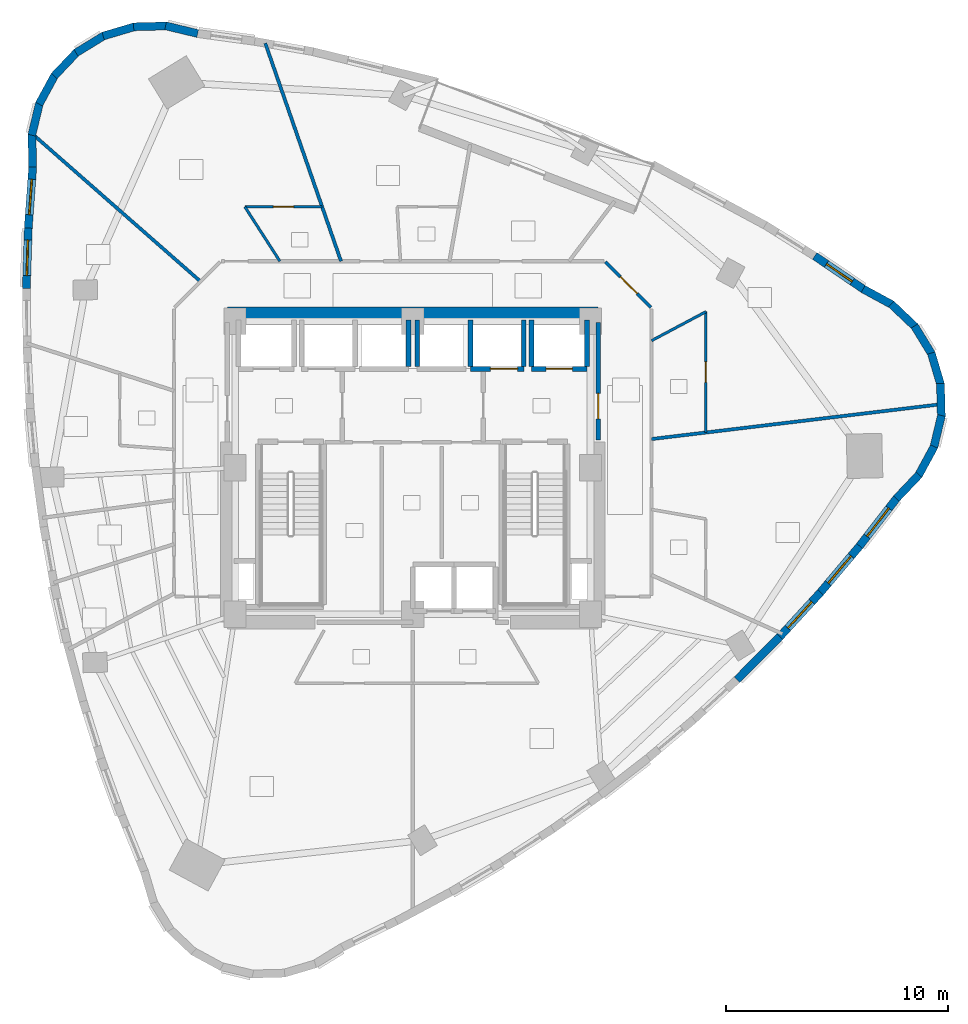
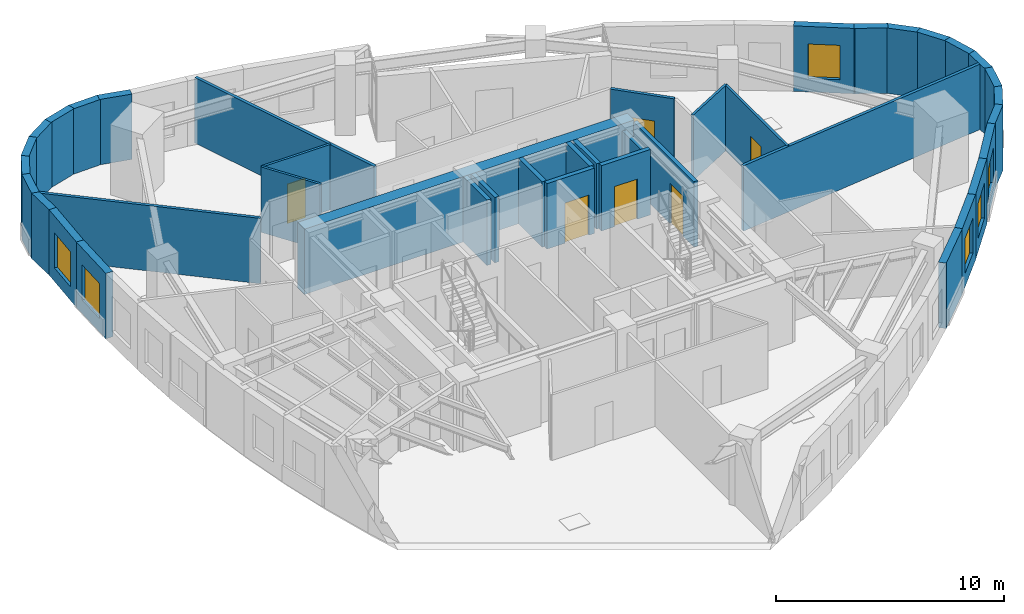
# One storey, part 8 of 12: 41 walls, 6 doors, 6 windows, 12 openings.
"""IFC4 building model written with IfcOpenShell, lengths in metres."""

from ifc_helpers import new_model, si_unit, direction, frame, frame_2d, origin, place, context, subcontext, project, spatial, rectangle, extrude, material, layer, layer_set, type_object, element, fill, save


model = new_model("IFC4")

# Units and contexts
model_context = context("Model", 3, precision=1e-05, world=origin(), true_north=direction((0.0, 1.0)))
body_context = subcontext(model_context, "Body", "Model", "MODEL_VIEW")
ifc_project = project(units=[si_unit("LENGTHUNIT", "METRE"), si_unit("AREAUNIT", "SQUARE_METRE"), si_unit("VOLUMEUNIT", "CUBIC_METRE"), si_unit("PLANEANGLEUNIT", "RADIAN"), si_unit("MASSUNIT", "GRAM", prefix="KILO")], contexts=[model_context])

# Site, building, storey
site_placement = place(None, origin())
site = spatial("IfcSite", under=ifc_project, at=site_placement, CompositionType="ELEMENT")
building_placement = place(site_placement, origin())
building = spatial("IfcBuilding", under=site, at=building_placement, Name="Ndelora Gate Hotel", CompositionType="ELEMENT")
storey_placement = place(building_placement, frame((0.0, 0.0, 153.5)))
storey = spatial("IfcBuildingStorey", under=building, at=storey_placement, Name="L38", CompositionType="ELEMENT", Elevation=153.5)

# Walls
ifc_material_1 = material(Name="Clay Brick Masonry", Category="masonry")
ifc_layer_1 = layer(ifc_material_1, 0.360107421875)
ifc_layer_set_1 = layer_set([ifc_layer_1], Name="Clay Brick Masonry")
wall_type_1 = type_object("IfcWallType", Name="WL-BRICK-360", PredefinedType="SOLIDWALL", material=ifc_layer_set_1)
for number, where, z_axis, x_axis, name in (
    (1, (-11.1298828125, 19.89990234375, 0.0), (0.0, 0.0, 1.0), (0.972361941937, -0.233478594034, 0.0), "L38 Tower Brick Pier-and-Spandrel Wall TWR-1"),
    (2, (-12.56591796875, 19.855712890625, 0.0), (0.0, 0.0, 1.0), (0.999654374037, 0.026289398397, 0.0), "L38 Tower Brick Pier-and-Spandrel Wall TWR-2"),
    (3, (-13.94140625, 19.44140625, 0.0), (0.0, 0.0, 1.0), (0.95879313952, 0.284105113664, 0.0), "L38 Tower Brick Pier-and-Spandrel Wall TWR-3"),
):
    element("IfcWall", number, at=place(storey_placement, frame(where, z_axis=z_axis, x_axis=x_axis)), inside=storey, type_object=wall_type_1, Name=name, PredefinedType="SOLIDWALL", context=body_context, shape_type="SweptSolid", body=[
        extrude(rectangle(XDim=1.48583984375, YDim=0.360107421875, at=frame_2d((0.742919921875, 0.0))), origin(), (0.0, 0.0, 1.0), 3.5),
    ])
wall_1_placement = place(storey_placement, frame((-15.1630859375, 18.685302734375, 0.0), z_axis=(0.0, 0.0, 1.0), x_axis=(0.852672081239, 0.522446477522, 0.0)))
element("IfcWall", 4, at=wall_1_placement, inside=storey, type_object=wall_type_1, Name="L38 Tower Brick Pier-and-Spandrel Wall TWR-4", PredefinedType="SOLIDWALL", context=body_context, shape_type="SweptSolid", body=[
    extrude(rectangle(XDim=1.486083984375, YDim=0.360107421875, at=frame_2d((0.7431640625, 0.0))), origin(), (0.0, 0.0, 1.0), 3.5),
])
wall_2_placement = place(storey_placement, frame((-16.147216796875, 17.638916015625, 0.0), z_axis=(0.0, 0.0, 1.0), x_axis=(0.688377955726, 0.725352183474, 0.0)))
element("IfcWall", 5, at=wall_2_placement, inside=storey, type_object=wall_type_1, Name="L38 Tower Brick Pier-and-Spandrel Wall TWR-5", PredefinedType="SOLIDWALL", context=body_context, shape_type="SweptSolid", body=[
    extrude(rectangle(XDim=1.485595703125, YDim=0.360107421875, at=frame_2d((0.74267578125, 0.0))), origin(), (0.0, 0.0, 1.0), 3.5),
])
for number, where, z_axis, x_axis, name in (
    (6, (-16.826904296875, 16.373046875, 0.0), (0.0, 0.0, 1.0), (0.476997582812, 0.87890460574, 0.0), "L38 Tower Brick Pier-and-Spandrel Wall TWR-6"),
    (7, (-17.156005859375, 14.974609375, 0.0), (0.0, 0.0, 1.0), (0.233323235941, 0.972399232605, 0.0), "L38 Tower Brick Pier-and-Spandrel Wall TWR-7"),
):
    element("IfcWall", number, at=place(storey_placement, frame(where, z_axis=z_axis, x_axis=x_axis)), inside=storey, type_object=wall_type_1, Name=name, PredefinedType="SOLIDWALL", context=body_context, shape_type="SweptSolid", body=[
        extrude(rectangle(XDim=1.48583984375, YDim=0.360107421875, at=frame_2d((0.742919921875, 0.0))), origin(), (0.0, 0.0, 1.0), 3.5),
    ])
wall_3_placement = place(storey_placement, frame((-17.112060546875, 13.538818359375, 0.0), z_axis=(0.0, 0.0, 1.0), x_axis=(-0.026129494011, 0.999658566483, 0.0)))
element("IfcWall", 8, at=wall_3_placement, inside=storey, type_object=wall_type_1, Name="L38 Tower Brick Pier-and-Spandrel Wall TWR-8", PredefinedType="SOLIDWALL", context=body_context, shape_type="SweptSolid", body=[
    extrude(rectangle(XDim=1.485595703125, YDim=0.360107421875, at=frame_2d((0.74267578125, 0.0))), origin(), (0.0, 0.0, 1.0), 3.5),
])

# Wall, opening, window
wall_4_placement = place(storey_placement, frame((-17.314208984375, 10.794921875, 0.0), z_axis=(0.0, 0.0, 1.0), x_axis=(0.072603479606, 0.99736088491, 0.0)))
wall_4 = element("IfcWall", 9, at=wall_4_placement, inside=storey, type_object=wall_type_1, Name="L38 Tower Brick Pier-and-Spandrel Wall TWR-9", PredefinedType="SOLIDWALL", context=body_context, shape_type="SweptSolid", body=[
    extrude(rectangle(XDim=2.801025390625, YDim=0.360107421875, at=frame_2d((1.400390625, 0.0))), origin(), (0.0, 0.0, 1.0), 3.5),
])
opening_1_placement = place(wall_4_placement, frame((0.6005859375, 0.0, 0.719970703125)))
opening_1 = element("IfcOpeningElement", 10, at=opening_1_placement, cuts=wall_4, Name="Opening W03", PredefinedType="OPENING", context=body_context, shape_type="SweptSolid", body=[
    extrude(rectangle(XDim=1.60009765625, YDim=1.8798828125, at=frame_2d((0.800048828125, 0.93994140625))), frame((0.0, 0.18994140625, 0.0), z_axis=(0.0, -1.0, 0.0), x_axis=(1.0, 0.0, 0.0)), (0.0, 0.0, 1.0), 0.380126953125),
])
ifc_material_2 = material(Name="Insulated Low-E Double Glazing in Bronze Aluminium Frame", Category="aluminium")
window_type_1 = type_object("IfcWindowType", Name="WN-CORN-2100", PartitioningType="SINGLE_PANEL", PredefinedType="WINDOW", material=ifc_material_2)
window_1_placement = place(opening_1_placement, origin())
window_1 = element("IfcWindow", 11, at=window_1_placement, inside=storey, type_object=window_type_1, Name="L38 Deep-Set Brick-Pier Window W03", OverallHeight=1.8798828125, OverallWidth=1.60009765625, PartitioningType="SINGLE_PANEL", PredefinedType="WINDOW", context=body_context, shape_type="SweptSolid", body=[
    extrude(rectangle(XDim=1.60009765625, YDim=1.8798828125, at=frame_2d((0.800048828125, 0.93994140625))), frame((0.0, 0.030029296875, 0.0), z_axis=(0.0, -1.0, 0.0), x_axis=(1.0, 0.0, 0.0)), (0.0, 0.0, 1.0), 0.06005859375),
])
fill(opening_1, window_1)

wall_5_placement = place(storey_placement, frame((-17.400146484375, 8.068603515625, 0.0), z_axis=(0.0, 0.0, 1.0), x_axis=(0.031907059623, 0.999490840151, 0.0)))
wall_5 = element("IfcWall", 12, at=wall_5_placement, inside=storey, type_object=wall_type_1, Name="L38 Tower Brick Pier-and-Spandrel Wall TWR-10", PredefinedType="SOLIDWALL", context=body_context, shape_type="SweptSolid", body=[
    extrude(rectangle(XDim=2.777587890625, YDim=0.360107421875, at=frame_2d((1.388671875, 0.0))), origin(), (0.0, 0.0, 1.0), 3.5),
])
opening_2_placement = place(wall_5_placement, frame((0.588623046875, 0.0, 0.719970703125)))
opening_2 = element("IfcOpeningElement", 13, at=opening_2_placement, cuts=wall_5, Name="Opening W01", PredefinedType="OPENING", context=body_context, shape_type="SweptSolid", body=[
    extrude(rectangle(XDim=1.60009765625, YDim=1.8798828125, at=frame_2d((0.800048828125, 0.93994140625))), frame((0.0, 0.18994140625, 0.0), z_axis=(0.0, -1.0, 0.0), x_axis=(1.0, 0.0, 0.0)), (0.0, 0.0, 1.0), 0.380126953125),
])
window_type_2 = type_object("IfcWindowType", Name="WN-DEEP-1600", PartitioningType="SINGLE_PANEL", PredefinedType="WINDOW", material=ifc_material_2)
window_2_placement = place(opening_2_placement, origin())
window_2 = element("IfcWindow", 14, at=window_2_placement, inside=storey, type_object=window_type_2, Name="L38 Deep-Set Brick-Pier Window W01", OverallHeight=1.8798828125, OverallWidth=1.60009765625, PartitioningType="SINGLE_PANEL", PredefinedType="WINDOW", context=body_context, shape_type="SweptSolid", body=[
    extrude(rectangle(XDim=1.60009765625, YDim=1.8798828125, at=frame_2d((0.800048828125, 0.93994140625))), frame((0.0, 0.030029296875, 0.0), z_axis=(0.0, -1.0, 0.0), x_axis=(1.0, 0.0, 0.0)), (0.0, 0.0, 1.0), 0.06005859375),
])
fill(opening_2, window_2)

# Wall
wall_6_placement = place(storey_placement, frame((16.53271484375, -7.605712890625, 0.0), z_axis=(0.0, 0.0, 1.0), x_axis=(-0.706305628683, -0.70790702701, 0.0)))
element("IfcWall", 15, at=wall_6_placement, inside=storey, type_object=wall_type_1, Name="L38 Tower Brick Pier-and-Spandrel Wall TWR-37", PredefinedType="SOLIDWALL", context=body_context, shape_type="SweptSolid", body=[
    extrude(rectangle(XDim=2.744140625, YDim=0.360107421875, at=frame_2d((1.3720703125, 0.0))), origin(), (0.0, 0.0, 1.0), 3.5),
])

# Wall, opening, window
wall_7_placement = place(storey_placement, frame((18.36279296875, -5.609375, 0.0), z_axis=(0.0, 0.0, 1.0), x_axis=(-0.676049215707, -0.73685647038, 0.0)))
wall_7 = element("IfcWall", 16, at=wall_7_placement, inside=storey, type_object=wall_type_1, Name="L38 Tower Brick Pier-and-Spandrel Wall TWR-38", PredefinedType="SOLIDWALL", context=body_context, shape_type="SweptSolid", body=[
    extrude(rectangle(XDim=2.75830078125, YDim=0.360107421875, at=frame_2d((1.379150390625, 0.0))), origin(), (0.0, 0.0, 1.0), 3.5),
])
opening_3_placement = place(wall_7_placement, frame((0.5791015625, 0.0, 0.719970703125)))
opening_3 = element("IfcOpeningElement", 17, at=opening_3_placement, cuts=wall_7, Name="Opening W01", PredefinedType="OPENING", context=body_context, shape_type="SweptSolid", body=[
    extrude(rectangle(XDim=1.60009765625, YDim=1.8798828125, at=frame_2d((0.800048828125, 0.93994140625))), frame((0.0, 0.18994140625, 0.0), z_axis=(0.0, -1.0, 0.0), x_axis=(1.0, 0.0, 0.0)), (0.0, 0.0, 1.0), 0.380126953125),
])
window_3_placement = place(opening_3_placement, origin())
window_3 = element("IfcWindow", 18, at=window_3_placement, inside=storey, type_object=window_type_2, Name="L38 Deep-Set Brick-Pier Window W01", OverallHeight=1.8798828125, OverallWidth=1.60009765625, PartitioningType="SINGLE_PANEL", PredefinedType="WINDOW", context=body_context, shape_type="SweptSolid", body=[
    extrude(rectangle(XDim=1.60009765625, YDim=1.8798828125, at=frame_2d((0.800048828125, 0.93994140625))), frame((0.0, 0.030029296875, 0.0), z_axis=(0.0, -1.0, 0.0), x_axis=(1.0, 0.0, 0.0)), (0.0, 0.0, 1.0), 0.06005859375),
])
fill(opening_3, window_3)

wall_8_placement = place(storey_placement, frame((20.121337890625, -3.5244140625, 0.0), z_axis=(0.0, 0.0, 1.0), x_axis=(-0.645039410349, -0.764149304192, 0.0)))
wall_8 = element("IfcWall", 19, at=wall_8_placement, inside=storey, type_object=wall_type_1, Name="L38 Tower Brick Pier-and-Spandrel Wall TWR-39", PredefinedType="SOLIDWALL", context=body_context, shape_type="SweptSolid", body=[
    extrude(rectangle(XDim=2.77734375, YDim=0.360107421875, at=frame_2d((1.388671875, 0.0))), origin(), (0.0, 0.0, 1.0), 3.5),
])
opening_4_placement = place(wall_8_placement, frame((0.5888671875, 0.0, 0.719970703125)))
opening_4 = element("IfcOpeningElement", 20, at=opening_4_placement, cuts=wall_8, Name="Opening W01", PredefinedType="OPENING", context=body_context, shape_type="SweptSolid", body=[
    extrude(rectangle(XDim=1.60009765625, YDim=1.8798828125, at=frame_2d((0.800048828125, 0.93994140625))), frame((0.0, 0.18994140625, 0.0), z_axis=(0.0, -1.0, 0.0), x_axis=(1.0, 0.0, 0.0)), (0.0, 0.0, 1.0), 0.380126953125),
])
window_4_placement = place(opening_4_placement, origin())
window_4 = element("IfcWindow", 21, at=window_4_placement, inside=storey, type_object=window_type_2, Name="L38 Deep-Set Brick-Pier Window W01", OverallHeight=1.8798828125, OverallWidth=1.60009765625, PartitioningType="SINGLE_PANEL", PredefinedType="WINDOW", context=body_context, shape_type="SweptSolid", body=[
    extrude(rectangle(XDim=1.60009765625, YDim=1.8798828125, at=frame_2d((0.800048828125, 0.93994140625))), frame((0.0, 0.030029296875, 0.0), z_axis=(0.0, -1.0, 0.0), x_axis=(1.0, 0.0, 0.0)), (0.0, 0.0, 1.0), 0.06005859375),
])
fill(opening_4, window_4)

wall_9_placement = place(storey_placement, frame((21.808349609375, -1.35107421875, 0.0), z_axis=(0.0, 0.0, 1.0), x_axis=(-0.613427584593, -0.789750972434, 0.0)))
wall_9 = element("IfcWall", 22, at=wall_9_placement, inside=storey, type_object=wall_type_1, Name="L38 Tower Brick Pier-and-Spandrel Wall TWR-40", PredefinedType="SOLIDWALL", context=body_context, shape_type="SweptSolid", body=[
    extrude(rectangle(XDim=2.801025390625, YDim=0.360107421875, at=frame_2d((1.400390625, 0.0))), origin(), (0.0, 0.0, 1.0), 3.5),
])
opening_5_placement = place(wall_9_placement, frame((0.6005859375, 0.0, 0.719970703125)))
opening_5 = element("IfcOpeningElement", 23, at=opening_5_placement, cuts=wall_9, Name="Opening W01", PredefinedType="OPENING", context=body_context, shape_type="SweptSolid", body=[
    extrude(rectangle(XDim=1.60009765625, YDim=1.8798828125, at=frame_2d((0.800048828125, 0.93994140625))), frame((0.0, 0.18994140625, 0.0), z_axis=(0.0, -1.0, 0.0), x_axis=(1.0, 0.0, 0.0)), (0.0, 0.0, 1.0), 0.380126953125),
])
window_5_placement = place(opening_5_placement, origin())
window_5 = element("IfcWindow", 24, at=window_5_placement, inside=storey, type_object=window_type_2, Name="L38 Deep-Set Brick-Pier Window W01", OverallHeight=1.8798828125, OverallWidth=1.60009765625, PartitioningType="SINGLE_PANEL", PredefinedType="WINDOW", context=body_context, shape_type="SweptSolid", body=[
    extrude(rectangle(XDim=1.60009765625, YDim=1.8798828125, at=frame_2d((0.800048828125, 0.93994140625))), frame((0.0, 0.030029296875, 0.0), z_axis=(0.0, -1.0, 0.0), x_axis=(1.0, 0.0, 0.0)), (0.0, 0.0, 1.0), 0.06005859375),
])
fill(opening_5, window_5)

# Walls
wall_10_placement = place(storey_placement, frame((22.798583984375, -0.311279296875, 0.0), z_axis=(0.0, 0.0, 1.0), x_axis=(-0.688377955726, -0.725352183474, 0.0)))
element("IfcWall", 25, at=wall_10_placement, inside=storey, type_object=wall_type_1, Name="L38 Tower Brick Pier-and-Spandrel Wall TWR-41", PredefinedType="SOLIDWALL", context=body_context, shape_type="SweptSolid", body=[
    extrude(rectangle(XDim=1.485595703125, YDim=0.360107421875, at=frame_2d((0.74267578125, 0.0))), origin(), (0.0, 0.0, 1.0), 3.5),
])
wall_11_placement = place(storey_placement, frame((23.478515625, 0.95458984375, 0.0), z_axis=(0.0, 0.0, 1.0), x_axis=(-0.477124494484, -0.878835716595, 0.0)))
element("IfcWall", 26, at=wall_11_placement, inside=storey, type_object=wall_type_1, Name="L38 Tower Brick Pier-and-Spandrel Wall TWR-42", PredefinedType="SOLIDWALL", context=body_context, shape_type="SweptSolid", body=[
    extrude(rectangle(XDim=1.48583984375, YDim=0.360107421875, at=frame_2d((0.742919921875, 0.0))), origin(), (0.0, 0.0, 1.0), 3.5),
])
for number, where, z_axis, x_axis, name in (
    (27, (23.8076171875, 2.352783203125, 0.0), (0.0, 0.0, 1.0), (-0.23351590147, -0.972352983109, 0.0), "L38 Tower Brick Pier-and-Spandrel Wall TWR-43"),
    (28, (23.763427734375, 3.788818359375, 0.0), (0.0, 0.0, 1.0), (0.026293717191, -0.99965426045, 0.0), "L38 Tower Brick Pier-and-Spandrel Wall TWR-44"),
):
    element("IfcWall", number, at=place(storey_placement, frame(where, z_axis=z_axis, x_axis=x_axis)), inside=storey, type_object=wall_type_1, Name=name, PredefinedType="SOLIDWALL", context=body_context, shape_type="SweptSolid", body=[
        extrude(rectangle(XDim=1.485595703125, YDim=0.360107421875, at=frame_2d((0.74267578125, 0.0))), origin(), (0.0, 0.0, 1.0), 3.5),
    ])
for number, where, z_axis, x_axis, name in (
    (29, (23.34912109375, 5.16455078125, 0.0), (0.0, 0.0, 1.0), (0.284105113664, -0.95879313952, 0.0), "L38 Tower Brick Pier-and-Spandrel Wall TWR-45"),
    (30, (22.593017578125, 6.385986328125, 0.0), (0.0, 0.0, 1.0), (0.522519673624, -0.852627228439, 0.0), "L38 Tower Brick Pier-and-Spandrel Wall TWR-46"),
):
    element("IfcWall", number, at=place(storey_placement, frame(where, z_axis=z_axis, x_axis=x_axis)), inside=storey, type_object=wall_type_1, Name=name, PredefinedType="SOLIDWALL", context=body_context, shape_type="SweptSolid", body=[
        extrude(rectangle(XDim=1.48583984375, YDim=0.360107421875, at=frame_2d((0.742919921875, 0.0))), origin(), (0.0, 0.0, 1.0), 3.5),
    ])
wall_12_placement = place(storey_placement, frame((21.54638671875, 7.370361328125, 0.0), z_axis=(0.0, 0.0, 1.0), x_axis=(0.725348001868, -0.688382361908, 0.0)))
element("IfcWall", 31, at=wall_12_placement, inside=storey, type_object=wall_type_1, Name="L38 Tower Brick Pier-and-Spandrel Wall TWR-47", PredefinedType="SOLIDWALL", context=body_context, shape_type="SweptSolid", body=[
    extrude(rectangle(XDim=1.486083984375, YDim=0.360107421875, at=frame_2d((0.7431640625, 0.0))), origin(), (0.0, 0.0, 1.0), 3.5),
])
wall_13_placement = place(storey_placement, frame((20.28076171875, 8.050048828125, 0.0), z_axis=(0.0, 0.0, 1.0), x_axis=(0.87890460574, -0.476997582812, 0.0)))
element("IfcWall", 32, at=wall_13_placement, inside=storey, type_object=wall_type_1, Name="L38 Tower Brick Pier-and-Spandrel Wall TWR-48", PredefinedType="SOLIDWALL", context=body_context, shape_type="SweptSolid", body=[
    extrude(rectangle(XDim=1.48583984375, YDim=0.360107421875, at=frame_2d((0.742919921875, 0.0))), origin(), (0.0, 0.0, 1.0), 3.5),
])

# Wall, opening, window
wall_14_placement = place(storey_placement, frame((18.097412109375, 9.537353515625, 0.0), z_axis=(0.0, 0.0, 1.0), x_axis=(0.827020963394, -0.562171082596, 0.0)))
wall_14 = element("IfcWall", 33, at=wall_14_placement, inside=storey, type_object=wall_type_1, Name="L38 Tower Brick Pier-and-Spandrel Wall TWR-49", PredefinedType="SOLIDWALL", context=body_context, shape_type="SweptSolid", body=[
    extrude(rectangle(XDim=2.691650390625, YDim=0.360107421875, at=frame_2d((1.345703125, 0.0))), origin(), (0.0, 0.0, 1.0), 3.5),
])
opening_6_placement = place(wall_14_placement, frame((0.645751953125, 0.0, 0.719970703125)))
opening_6 = element("IfcOpeningElement", 34, at=opening_6_placement, cuts=wall_14, Name="Opening W02", PredefinedType="OPENING", context=body_context, shape_type="SweptSolid", body=[
    extrude(rectangle(XDim=1.39990234375, YDim=1.840087890625, at=frame_2d((0.699951171875, 0.919921875))), frame((0.0, 0.18994140625, 0.0), z_axis=(0.0, -1.0, 0.0), x_axis=(1.0, 0.0, 0.0)), (0.0, 0.0, 1.0), 0.380126953125),
])
window_type_3 = type_object("IfcWindowType", Name="WN-DEEP-1400", PartitioningType="SINGLE_PANEL", PredefinedType="WINDOW", material=ifc_material_2)
window_6_placement = place(opening_6_placement, origin())
window_6 = element("IfcWindow", 35, at=window_6_placement, inside=storey, type_object=window_type_3, Name="L38 Deep-Set Brick-Pier Window W02", OverallHeight=1.840087890625, OverallWidth=1.39990234375, PartitioningType="SINGLE_PANEL", PredefinedType="WINDOW", context=body_context, shape_type="SweptSolid", body=[
    extrude(rectangle(XDim=1.39990234375, YDim=1.840087890625, at=frame_2d((0.699951171875, 0.919921875))), frame((0.0, 0.030029296875, 0.0), z_axis=(0.0, -1.0, 0.0), x_axis=(1.0, 0.0, 0.0)), (0.0, 0.0, 1.0), 0.06005859375),
])
fill(opening_6, window_6)

# Wall
ifc_material_3 = material(Name="Concrete C60/75", Category="concrete")
ifc_layer_2 = layer(ifc_material_3, 0.60009765625)
ifc_layer_set_2 = layer_set([ifc_layer_2], Name="Concrete C60/75")
wall_type_2 = type_object("IfcWallType", Name="WL-CORE-600", PredefinedType="SHEAR", material=ifc_layer_set_2)
wall_15_placement = place(storey_placement, frame((-8.35009765625, 6.949951171875, 0.0), z_axis=(0.0, 0.0, 1.0), x_axis=(1.0, 0.0, 0.0)))
element("IfcWall", 36, at=wall_15_placement, inside=storey, type_object=wall_type_2, Name="L38 Core Shear Wall N", PredefinedType="SHEAR", context=body_context, shape_type="SweptSolid", body=[
    extrude(rectangle(XDim=16.7001953125, YDim=0.60009765625, at=frame_2d((8.35009765625, 0.0))), origin(), (0.0, 0.0, 1.0), 3.5),
])

# Wall, opening, door
ifc_material_4 = material(Name="Concrete C40/50", Category="concrete")
ifc_layer_3 = layer(ifc_material_4, 0.199951171875)
ifc_layer_set_3 = layer_set([ifc_layer_3], Name="Concrete C40/50")
wall_type_3 = type_object("IfcWallType", Name="WL-FIRE-200", PredefinedType="PARTITIONING", material=ifc_layer_set_3)
wall_16_placement = place(storey_placement, frame((8.35009765625, 1.25, 0.0), z_axis=(0.0, 0.0, 1.0), x_axis=(0.0, 1.0, 0.0)))
wall_16 = element("IfcWall", 37, at=wall_16_placement, inside=storey, type_object=wall_type_3, Name="L38 Interior Wall IW-2", PredefinedType="PARTITIONING", context=body_context, shape_type="SweptSolid", body=[
    extrude(rectangle(XDim=5.300048828125, YDim=0.199951171875, at=frame_2d((2.64990234375, 0.0))), origin(), (0.0, 0.0, 1.0), 3.5),
])
opening_7_placement = place(wall_16_placement, frame((0.949951171875, 0.0, 0.0)))
opening_7 = element("IfcOpeningElement", 38, at=opening_7_placement, cuts=wall_16, Name="Opening FD1", PredefinedType="OPENING", context=body_context, shape_type="SweptSolid", body=[
    extrude(rectangle(XDim=1.14990234375, YDim=2.14990234375, at=frame_2d((0.574951171875, 1.074951171875))), frame((0.0, 0.10986328125, 0.0), z_axis=(0.0, -1.0, 0.0), x_axis=(1.0, 0.0, 0.0)), (0.0, 0.0, 1.0), 0.219970703125),
])
ifc_material_5 = material(Name="Fire-Rated Timber-Veneer Steel Core", Category="steel")
door_type_1 = type_object("IfcDoorType", Name="DR-FD60", OperationType="SINGLE_SWING_LEFT", PredefinedType="DOOR", material=ifc_material_5)
door_1_placement = place(opening_7_placement, origin())
door_1 = element("IfcDoor", 39, at=door_1_placement, inside=storey, type_object=door_type_1, Name="L38 Firefighting Lobby East Corridor Door", OperationType="SINGLE_SWING_RIGHT", OverallHeight=2.14990234375, OverallWidth=1.14990234375, PredefinedType="DOOR", context=body_context, shape_type="SweptSolid", body=[
    extrude(rectangle(XDim=1.14990234375, YDim=2.14990234375, at=frame_2d((0.574951171875, 1.074951171875))), frame((0.0, 0.02490234375, 0.0), z_axis=(0.0, -1.0, 0.0), x_axis=(1.0, 0.0, 0.0)), (0.0, 0.0, 1.0), 0.050048828125),
])
fill(opening_7, door_1)

ifc_material_6 = material(Name="Fire-Rated Gypsum Stud Partition", Category="gypsum")
ifc_layer_4 = layer(ifc_material_6, 0.14990234375)
ifc_layer_set_4 = layer_set([ifc_layer_4], Name="Fire-Rated Gypsum Stud Partition")
wall_type_4 = type_object("IfcWallType", Name="WL-PART-150", PredefinedType="PARTITIONING", material=ifc_layer_set_4)
wall_17_placement = place(storey_placement, frame((8.67822265625, 9.271728515625, 0.0), z_axis=(0.0, 0.0, 1.0), x_axis=(0.707106781187, -0.707106781187, 0.0)))
wall_17 = element("IfcWall", 40, at=wall_17_placement, inside=storey, type_object=wall_type_4, Name="L38 Interior Wall IW-5", PredefinedType="PARTITIONING", context=body_context, shape_type="SweptSolid", body=[
    extrude(rectangle(XDim=2.889892578125, YDim=0.14990234375, at=frame_2d((1.44482421875, 0.0))), origin(), (0.0, 0.0, 1.0), 3.5),
])
opening_8_placement = place(wall_17_placement, frame((0.954833984375, 0.0, 0.0)))
opening_8 = element("IfcOpeningElement", 41, at=opening_8_placement, cuts=wall_17, Name="Opening D07", PredefinedType="OPENING", context=body_context, shape_type="SweptSolid", body=[
    extrude(rectangle(XDim=1.06005859375, YDim=2.14990234375, at=frame_2d((0.530029296875, 1.074951171875))), frame((0.0, 0.0849609375, 0.0), z_axis=(0.0, -1.0, 0.0), x_axis=(1.0, 0.0, 0.0)), (0.0, 0.0, 1.0), 0.169921875),
])
ifc_material_7 = material(Name="Diplomatic Suite Acoustic Entrance Door", Category="wood")
door_type_2 = type_object("IfcDoorType", Name="DR-SUITE-1060", OperationType="SINGLE_SWING_LEFT", PredefinedType="DOOR", material=ifc_material_7)
door_2_placement = place(opening_8_placement, origin())
door_2 = element("IfcDoor", 42, at=door_2_placement, inside=storey, type_object=door_type_2, Name="L38 Two-Bay Highland Suite 4104 Entrance Door", OperationType="SINGLE_SWING_RIGHT", OverallHeight=2.14990234375, OverallWidth=1.06005859375, PredefinedType="DOOR", context=body_context, shape_type="SweptSolid", body=[
    extrude(rectangle(XDim=1.06005859375, YDim=2.14990234375, at=frame_2d((0.530029296875, 1.074951171875))), frame((0.0, 0.02490234375, 0.0), z_axis=(0.0, -1.0, 0.0), x_axis=(1.0, 0.0, 0.0)), (0.0, 0.0, 1.0), 0.050048828125),
])
fill(opening_8, door_2)

# Walls
wall_18_placement = place(storey_placement, frame((10.75, 1.292236328125, 0.0), z_axis=(0.0, 0.0, 1.0), x_axis=(0.992851215359, 0.119358552939, 0.0)))
element("IfcWall", 43, at=wall_18_placement, inside=storey, type_object=wall_type_4, Name="L38 Interior Wall IW-5", PredefinedType="PARTITIONING", context=body_context, shape_type="SweptSolid", body=[
    extrude(rectangle(XDim=13.1318359375, YDim=0.14990234375, at=frame_2d((6.56591796875, 0.0))), origin(), (0.0, 0.0, 1.0), 3.5),
])
wall_19_placement = place(storey_placement, frame((-3.230224609375, 9.300048828125, 0.0), z_axis=(0.0, 0.0, 1.0), x_axis=(-0.328129858039, 0.944632625026, 0.0)))
element("IfcWall", 44, at=wall_19_placement, inside=storey, type_object=wall_type_4, Name="L38 Interior Wall IW-5", PredefinedType="PARTITIONING", context=body_context, shape_type="SweptSolid", body=[
    extrude(rectangle(XDim=10.396484375, YDim=0.14990234375, at=frame_2d((5.1982421875, 0.0))), origin(), (0.0, 0.0, 1.0), 3.5),
])
wall_20_placement = place(storey_placement, frame((-9.5595703125, 8.390380859375, 0.0), z_axis=(0.0, 0.0, 1.0), x_axis=(-0.751556130323, 0.659669146598, 0.0)))
element("IfcWall", 45, at=wall_20_placement, inside=storey, type_object=wall_type_4, Name="L38 Interior Wall IW-5", PredefinedType="PARTITIONING", context=body_context, shape_type="SweptSolid", body=[
    extrude(rectangle(XDim=10.0859375, YDim=0.14990234375, at=frame_2d((5.04296875, 0.0))), origin(), (0.0, 0.0, 1.0), 3.5),
])

# Wall, opening, door
ifc_layer_5 = layer(ifc_material_4, 0.219970703125)
ifc_layer_set_5 = layer_set([ifc_layer_5], Name="Concrete C40/50")
wall_type_5 = type_object("IfcWallType", Name="WL-SHAFT-220", PredefinedType="PARTITIONING", material=ifc_layer_set_5)
wall_21_placement = place(storey_placement, frame((5.35009765625, 4.449951171875, 0.0), z_axis=(0.0, 0.0, 1.0), x_axis=(1.0, 0.0, 0.0)))
wall_21 = element("IfcWall", 46, at=wall_21_placement, inside=storey, type_object=wall_type_5, Name="L38 Interior Wall IW-1", PredefinedType="PARTITIONING", context=body_context, shape_type="SweptSolid", body=[
    extrude(rectangle(XDim=2.5, YDim=0.219970703125, at=frame_2d((1.25, 0.0))), origin(), (0.0, 0.0, 1.0), 3.5),
])
opening_9_placement = place(wall_21_placement, frame((0.659912109375, 0.0, 0.0)))
opening_9 = element("IfcOpeningElement", 47, at=opening_9_placement, cuts=wall_21, Name="Opening LD5", PredefinedType="OPENING", context=body_context, shape_type="SweptSolid", body=[
    extrude(rectangle(XDim=1.179931640625, YDim=2.14990234375, at=frame_2d((0.58984375, 1.074951171875))), frame((0.0, 0.1201171875, 0.0), z_axis=(0.0, -1.0, 0.0), x_axis=(1.0, 0.0, 0.0)), (0.0, 0.0, 1.0), 0.239990234375),
])
ifc_material_8 = material(Name="Firefighting Lift Stainless Sliding Landing Door", Category="metal")
door_type_3 = type_object("IfcDoorType", Name="DR-LD5", OperationType="DOUBLE_DOOR_SLIDING", PredefinedType="DOOR", material=ifc_material_8)
door_3_placement = place(opening_9_placement, origin())
door_3 = element("IfcDoor", 48, at=door_3_placement, inside=storey, type_object=door_type_3, Name="L38 Lift Landing Sliding Door FFL2", OperationType="DOUBLE_DOOR_SLIDING", OverallHeight=2.14990234375, OverallWidth=1.179931640625, PredefinedType="DOOR", context=body_context, shape_type="SweptSolid", body=[
    extrude(rectangle(XDim=1.179931640625, YDim=2.14990234375, at=frame_2d((0.58984375, 1.074951171875))), frame((0.0, 0.02490234375, 0.0), z_axis=(0.0, -1.0, 0.0), x_axis=(1.0, 0.0, 0.0)), (0.0, 0.0, 1.0), 0.050048828125),
])
fill(opening_9, door_3)

# Walls
wall_22_placement = place(storey_placement, frame((5.35009765625, 4.570068359375, 0.0), z_axis=(0.0, 0.0, 1.0), x_axis=(0.0, 1.0, 0.0)))
element("IfcWall", 49, at=wall_22_placement, inside=storey, type_object=wall_type_5, Name="L38 Interior Wall IW-1", PredefinedType="PARTITIONING", context=body_context, shape_type="SweptSolid", body=[
    extrude(rectangle(XDim=2.079833984375, YDim=0.219970703125, at=frame_2d((1.0400390625, 0.0))), origin(), (0.0, 0.0, 1.0), 3.5),
])
wall_23_placement = place(storey_placement, frame((7.85009765625, 4.570068359375, 0.0), z_axis=(0.0, 0.0, 1.0), x_axis=(0.0, 1.0, 0.0)))
element("IfcWall", 50, at=wall_23_placement, inside=storey, type_object=wall_type_5, Name="L38 Interior Wall IW-1", PredefinedType="PARTITIONING", context=body_context, shape_type="SweptSolid", body=[
    extrude(rectangle(XDim=2.079833984375, YDim=0.219970703125, at=frame_2d((1.0400390625, 0.0))), origin(), (0.0, 0.0, 1.0), 3.1201171875),
])

# Wall, opening, door
wall_24_placement = place(storey_placement, frame((2.60009765625, 4.449951171875, 0.0), z_axis=(0.0, 0.0, 1.0), x_axis=(1.0, 0.0, 0.0)))
wall_24 = element("IfcWall", 51, at=wall_24_placement, inside=storey, type_object=wall_type_5, Name="L38 Interior Wall IW-1", PredefinedType="PARTITIONING", context=body_context, shape_type="SweptSolid", body=[
    extrude(rectangle(XDim=2.39990234375, YDim=0.219970703125, at=frame_2d((1.199951171875, 0.0))), origin(), (0.0, 0.0, 1.0), 3.5),
])
opening_10_placement = place(wall_24_placement, frame((0.89990234375, 0.0, 0.0)))
opening_10 = element("IfcOpeningElement", 52, at=opening_10_placement, cuts=wall_24, Name="Opening LD6", PredefinedType="OPENING", context=body_context, shape_type="SweptSolid", body=[
    extrude(rectangle(XDim=1.219970703125, YDim=2.14990234375, at=frame_2d((0.60986328125, 1.074951171875))), frame((0.0, 0.1201171875, 0.0), z_axis=(0.0, -1.0, 0.0), x_axis=(1.0, 0.0, 0.0)), (0.0, 0.0, 1.0), 0.239990234375),
])
ifc_material_9 = material(Name="Heavy-Duty Service Lift Sliding Landing Door", Category="wood")
door_type_4 = type_object("IfcDoorType", Name="DR-LD6", OperationType="DOUBLE_DOOR_SLIDING", PredefinedType="DOOR", material=ifc_material_9)
door_4_placement = place(opening_10_placement, origin())
door_4 = element("IfcDoor", 53, at=door_4_placement, inside=storey, type_object=door_type_4, Name="L38 Lift Landing Sliding Door SVL2", OperationType="DOUBLE_DOOR_SLIDING", OverallHeight=2.14990234375, OverallWidth=1.219970703125, PredefinedType="DOOR", context=body_context, shape_type="SweptSolid", body=[
    extrude(rectangle(XDim=1.219970703125, YDim=2.14990234375, at=frame_2d((0.60986328125, 1.074951171875))), frame((0.0, 0.02490234375, 0.0), z_axis=(0.0, -1.0, 0.0), x_axis=(1.0, 0.0, 0.0)), (0.0, 0.0, 1.0), 0.050048828125),
])
fill(opening_10, door_4)

# Walls
for number, where, z_axis, x_axis, name in (
    (54, (2.60009765625, 4.570068359375, 0.0), (0.0, 0.0, 1.0), (0.0, 1.0, 0.0), "L38 Interior Wall IW-1"),
    (55, (5.0, 4.570068359375, 0.0), (0.0, 0.0, 1.0), (0.0, 1.0, 0.0), "L38 Interior Wall IW-1"),
    (56, (-0.199951171875, 4.570068359375, 0.0), (0.0, 0.0, 1.0), (0.0, 1.0, 0.0), "L38 Interior Wall IW-1"),
    (57, (0.199951171875, 4.570068359375, 0.0), (0.0, 0.0, 1.0), (0.0, 1.0, 0.0), "L38 Interior Wall IW-1"),
):
    element("IfcWall", number, at=place(storey_placement, frame(where, z_axis=z_axis, x_axis=x_axis)), inside=storey, type_object=wall_type_5, Name=name, PredefinedType="PARTITIONING", context=body_context, shape_type="SweptSolid", body=[
        extrude(rectangle(XDim=2.079833984375, YDim=0.219970703125, at=frame_2d((1.0400390625, 0.0))), origin(), (0.0, 0.0, 1.0), 3.5),
    ])
ifc_material_10 = material(Name="Moisture-Resistant Bathroom Tile Partition", Category="gypsum")
ifc_layer_6 = layer(ifc_material_10, 0.1201171875)
ifc_layer_set_6 = layer_set([ifc_layer_6], Name="Moisture-Resistant Bathroom Tile Partition")
wall_type_6 = type_object("IfcWallType", Name="WL-WET-120", PredefinedType="PARTITIONING", material=ifc_layer_set_6)
wall_25_placement = place(storey_placement, frame((13.199951171875, 7.025634765625, 0.0), z_axis=(0.0, 0.0, 1.0), x_axis=(-0.88275440909, -0.469834708416, 0.0)))
element("IfcWall", 58, at=wall_25_placement, inside=storey, type_object=wall_type_6, Name="L38 Interior Wall IW-7", PredefinedType="PARTITIONING", context=body_context, shape_type="SweptSolid", body=[
    extrude(rectangle(XDim=2.775390625, YDim=0.1201171875, at=frame_2d((1.3876953125, 0.0))), origin(), (0.0, 0.0, 1.0), 3.5),
])

# Wall, opening, door
wall_26_placement = place(storey_placement, frame((13.199951171875, 7.025634765625, 0.0), z_axis=(0.0, 0.0, 1.0), x_axis=(0.0, -1.0, 0.0)))
wall_26 = element("IfcWall", 59, at=wall_26_placement, inside=storey, type_object=wall_type_6, Name="L38 Interior Wall IW-7", PredefinedType="PARTITIONING", context=body_context, shape_type="SweptSolid", body=[
    extrude(rectangle(XDim=5.438720703125, YDim=0.1201171875, at=frame_2d((2.71923828125, 0.0))), origin(), (0.0, 0.0, 1.0), 3.5),
])
opening_11_placement = place(wall_26_placement, frame((2.25927734375, 0.0, 0.0)))
opening_11 = element("IfcOpeningElement", 60, at=opening_11_placement, cuts=wall_26, Name="Opening D03", PredefinedType="OPENING", context=body_context, shape_type="SweptSolid", body=[
    extrude(rectangle(XDim=0.919921875, YDim=2.10009765625, at=frame_2d((0.4599609375, 1.050048828125))), frame((0.0, 0.070068359375, 0.0), z_axis=(0.0, -1.0, 0.0), x_axis=(1.0, 0.0, 0.0)), (0.0, 0.0, 1.0), 0.14013671875),
])
ifc_material_11 = material(Name="Moisture-Resistant Hardwood En-Suite Door", Category="wood")
door_type_5 = type_object("IfcDoorType", Name="DR-BATH-920", OperationType="SINGLE_SWING_LEFT", PredefinedType="DOOR", material=ifc_material_11)
door_5_placement = place(opening_11_placement, origin())
door_5 = element("IfcDoor", 61, at=door_5_placement, inside=storey, type_object=door_type_5, Name="L38 En-suite Bathroom 4104 Door", OperationType="SINGLE_SWING_LEFT", OverallHeight=2.10009765625, OverallWidth=0.919921875, PredefinedType="DOOR", context=body_context, shape_type="SweptSolid", body=[
    extrude(rectangle(XDim=0.919921875, YDim=2.10009765625, at=frame_2d((0.4599609375, 1.050048828125))), frame((0.0, 0.02490234375, 0.0), z_axis=(0.0, -1.0, 0.0), x_axis=(1.0, 0.0, 0.0)), (0.0, 0.0, 1.0), 0.050048828125),
])
fill(opening_11, door_5)

# Wall
wall_27_placement = place(storey_placement, frame((-5.983642578125, 9.300048828125, 0.0), z_axis=(0.0, 0.0, 1.0), x_axis=(-0.541109088666, 0.840952408976, 0.0)))
element("IfcWall", 62, at=wall_27_placement, inside=storey, type_object=wall_type_6, Name="L38 Interior Wall IW-7", PredefinedType="PARTITIONING", context=body_context, shape_type="SweptSolid", body=[
    extrude(rectangle(XDim=2.913330078125, YDim=0.1201171875, at=frame_2d((1.45654296875, 0.0))), origin(), (0.0, 0.0, 1.0), 3.5),
])

# Wall, opening, door
wall_28_placement = place(storey_placement, frame((-7.56005859375, 11.75, 0.0), z_axis=(0.0, 0.0, 1.0), x_axis=(1.0, 0.0, 0.0)))
wall_28 = element("IfcWall", 63, at=wall_28_placement, inside=storey, type_object=wall_type_6, Name="L38 Interior Wall IW-7", PredefinedType="PARTITIONING", context=body_context, shape_type="SweptSolid", body=[
    extrude(rectangle(XDim=3.478759765625, YDim=0.1201171875, at=frame_2d((1.7392578125, 0.0))), origin(), (0.0, 0.0, 1.0), 3.5),
])
opening_12_placement = place(wall_28_placement, frame((1.279296875, 0.0, 0.0)))
opening_12 = element("IfcOpeningElement", 64, at=opening_12_placement, cuts=wall_28, Name="Opening D03", PredefinedType="OPENING", context=body_context, shape_type="SweptSolid", body=[
    extrude(rectangle(XDim=0.919921875, YDim=2.10009765625, at=frame_2d((0.4599609375, 1.050048828125))), frame((0.0, 0.070068359375, 0.0), z_axis=(0.0, -1.0, 0.0), x_axis=(1.0, 0.0, 0.0)), (0.0, 0.0, 1.0), 0.14013671875),
])
door_6_placement = place(opening_12_placement, origin())
door_6 = element("IfcDoor", 65, at=door_6_placement, inside=storey, type_object=door_type_5, Name="L38 En-suite Bathroom 4106 Door", OperationType="SINGLE_SWING_LEFT", OverallHeight=2.10009765625, OverallWidth=0.919921875, PredefinedType="DOOR", context=body_context, shape_type="SweptSolid", body=[
    extrude(rectangle(XDim=0.919921875, YDim=2.10009765625, at=frame_2d((0.4599609375, 1.050048828125))), frame((0.0, 0.02490234375, 0.0), z_axis=(0.0, -1.0, 0.0), x_axis=(1.0, 0.0, 0.0)), (0.0, 0.0, 1.0), 0.050048828125),
])
fill(opening_12, door_6)

save(model, "model.ifc")
